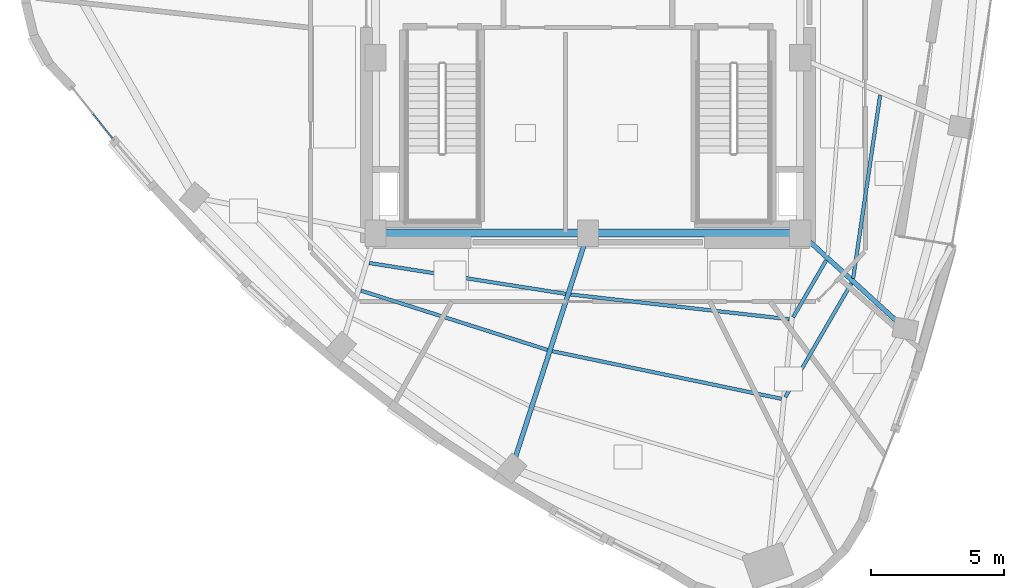
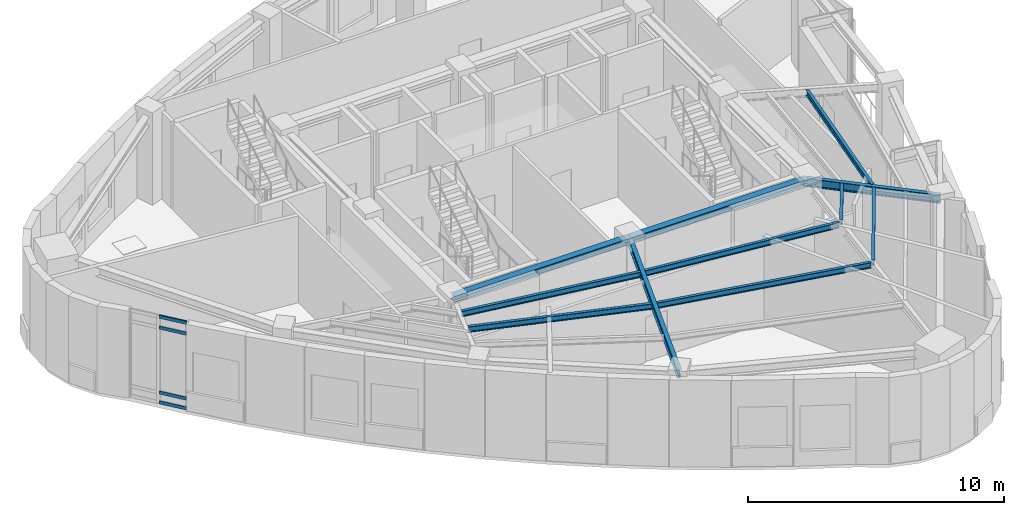
# One storey, part 3 of 14: 11 beams, 4 members, 1 element without a shape of its own.
"""IFC4 building model written with IfcOpenShell, lengths in metres."""

from ifc_helpers import new_model, si_unit, direction, frame, origin, origin_2d, place, context, subcontext, project, spatial, hollow_rectangle, i_section, extrude, material, layer, layer_set, material_profile, profile_set, type_object, element, aggregate, save


model = new_model("IFC4")

# Units and contexts
model_context = context("Model", 3, precision=1e-05, world=origin(), true_north=direction((0.0, 1.0)))
body_context = subcontext(model_context, "Body", "Model", "MODEL_VIEW")
ifc_project = project(units=[si_unit("LENGTHUNIT", "METRE"), si_unit("AREAUNIT", "SQUARE_METRE"), si_unit("VOLUMEUNIT", "CUBIC_METRE"), si_unit("PLANEANGLEUNIT", "RADIAN"), si_unit("MASSUNIT", "GRAM", prefix="KILO")], contexts=[model_context])

# Site, building, storey
site_placement = place(None, origin())
site = spatial("IfcSite", under=ifc_project, at=site_placement, CompositionType="ELEMENT")
building_placement = place(site_placement, origin())
building = spatial("IfcBuilding", under=site, at=building_placement, Name="Ndelora Gate Hotel", CompositionType="ELEMENT")
storey_placement = place(building_placement, frame((0.0, 0.0, 277.199951171875)))
storey = spatial("IfcBuildingStorey", under=building, at=storey_placement, Name="L69", CompositionType="ELEMENT", Elevation=277.199951171875)

# Beams
ifc_material_1 = material(Name="Steel S355", Category="steel")
ifc_material_profile_1 = material_profile(ifc_material_1, i_section(OverallWidth=0.300048828125, OverallDepth=0.300048828125, WebThickness=0.010986328125, FlangeThickness=0.01904296875, FilletRadius=0.027099609375, at=origin_2d()), Name="HEB 300")
ifc_profile_set_1 = profile_set([ifc_material_profile_1], Name="Steel S355")
beam_type_1 = type_object("IfcBeamType", Name="BM-CORE-300", PredefinedType="BEAM", material=ifc_profile_set_1)
for number, where, z_axis, x_axis, name in (
    (1, (-8.0, -6.60009765625, 4.0), (1.0, 0.0, 0.0), (0.0, 1.0, 0.0), "L69 Core Tie Girder CC1-CC2"),
    (2, (0.0, -6.60009765625, 4.0), (1.0, 0.0, 0.0), (0.0, 1.0, 0.0), "L69 Core Tie Girder CC2-CC3"),
):
    element("IfcBeam", number, at=place(storey_placement, frame(where, z_axis=z_axis, x_axis=x_axis)), inside=storey, type_object=beam_type_1, Name=name, PredefinedType="BEAM", context=body_context, shape_type="SweptSolid", body=[
        extrude(i_section(OverallWidth=0.300048828125, OverallDepth=0.300048828125, WebThickness=0.010986328125, FlangeThickness=0.01904296875, FilletRadius=0.027099609375, at=origin_2d()), origin(), (0.0, 0.0, 1.0), 8.0),
    ])
ifc_material_profile_2 = material_profile(ifc_material_1, i_section(OverallWidth=0.135009765625, OverallDepth=0.27001953125, WebThickness=0.006591796875, FlangeThickness=0.01025390625, FilletRadius=0.014892578125, at=origin_2d()), Name="IPE 270")
ifc_profile_set_2 = profile_set([ifc_material_profile_2], Name="Steel S355")
beam_type_2 = type_object("IfcBeamType", Name="BM-JST-270", PredefinedType="JOIST", material=ifc_profile_set_2)
beam_1_placement = place(storey_placement, frame((-8.236328125, -7.727294921875, 4.01513671875), z_axis=(0.987888558734, -0.155165058961, 0.0), x_axis=(0.155165058961, 0.987888558734, 0.0)))
element("IfcBeam", 3, at=beam_1_placement, inside=storey, type_object=beam_type_2, Name="L69 Secondary Composite Floor Joist IN-3", PredefinedType="JOIST", context=body_context, shape_type="SweptSolid", body=[
    extrude(i_section(OverallWidth=0.135009765625, OverallDepth=0.27001953125, WebThickness=0.006591796875, FlangeThickness=0.01025390625, FilletRadius=0.014892578125, at=origin_2d()), origin(), (0.0, 0.0, 1.0), 7.483154296875),
])
beam_2_placement = place(storey_placement, frame((-8.54931640625, -8.768310546875, 4.01513671875), z_axis=(0.95300799864, -0.302945134517, 0.0), x_axis=(0.302945134517, 0.95300799864, 0.0)))
element("IfcBeam", 4, at=beam_2_placement, inside=storey, type_object=beam_type_2, Name="L69 Secondary Composite Floor Joist MID-3", PredefinedType="JOIST", context=body_context, shape_type="SweptSolid", body=[
    extrude(i_section(OverallWidth=0.135009765625, OverallDepth=0.27001953125, WebThickness=0.006591796875, FlangeThickness=0.01025390625, FilletRadius=0.014892578125, at=origin_2d()), origin(), (0.0, 0.0, 1.0), 7.367431640625),
])
beam_3_placement = place(storey_placement, frame((-0.645751953125, -8.9150390625, 4.01513671875), z_axis=(0.993666082795, -0.112373110227, 0.0), x_axis=(0.112373110227, 0.993666082795, 0.0)))
element("IfcBeam", 5, at=beam_3_placement, inside=storey, type_object=beam_type_2, Name="L69 Secondary Composite Floor Joist IN-4", PredefinedType="JOIST", context=body_context, shape_type="SweptSolid", body=[
    extrude(i_section(OverallWidth=0.135009765625, OverallDepth=0.27001953125, WebThickness=0.006591796875, FlangeThickness=0.01025390625, FilletRadius=0.014892578125, at=origin_2d()), origin(), (0.0, 0.0, 1.0), 8.27978515625),
])
beam_4_placement = place(storey_placement, frame((-1.334716796875, -11.05078125, 4.01513671875), z_axis=(0.979088439748, -0.203435068637, 0.0), x_axis=(0.203435068637, 0.979088439748, 0.0)))
element("IfcBeam", 6, at=beam_4_placement, inside=storey, type_object=beam_type_2, Name="L69 Secondary Composite Floor Joist MID-4", PredefinedType="JOIST", context=body_context, shape_type="SweptSolid", body=[
    extrude(i_section(OverallWidth=0.135009765625, OverallDepth=0.27001953125, WebThickness=0.006591796875, FlangeThickness=0.01025390625, FilletRadius=0.014892578125, at=origin_2d()), origin(), (0.0, 0.0, 1.0), 8.807373046875),
])
beam_5_placement = place(storey_placement, frame((7.731201171875, -9.770263671875, 4.01513671875), z_axis=(0.502726490322, 0.864445530921, 0.0), x_axis=(-0.864445530921, 0.502726490322, 0.0)))
element("IfcBeam", 7, at=beam_5_placement, inside=storey, type_object=beam_type_2, Name="L69 Secondary Composite Floor Joist IN-5", PredefinedType="JOIST", context=body_context, shape_type="SweptSolid", body=[
    extrude(i_section(OverallWidth=0.135009765625, OverallDepth=0.27001953125, WebThickness=0.006591796875, FlangeThickness=0.01025390625, FilletRadius=0.014892578125, at=origin_2d()), origin(), (0.0, 0.0, 1.0), 2.481201171875),
])
beam_6_placement = place(storey_placement, frame((7.436767578125, -12.776611328125, 4.01513671875), z_axis=(0.50271891842, 0.864449934388, 0.0), x_axis=(-0.864449934388, 0.50271891842, 0.0)))
element("IfcBeam", 8, at=beam_6_placement, inside=storey, type_object=beam_type_2, Name="L69 Secondary Composite Floor Joist MID-5", PredefinedType="JOIST", context=body_context, shape_type="SweptSolid", body=[
    extrude(i_section(OverallWidth=0.135009765625, OverallDepth=0.27001953125, WebThickness=0.006591796875, FlangeThickness=0.01025390625, FilletRadius=0.014892578125, at=origin_2d()), origin(), (0.0, 0.0, 1.0), 4.9560546875),
])
beam_7_placement = place(storey_placement, frame((9.992919921875, -8.30712890625, 4.01513671875), z_axis=(0.145767847032, 0.989318823621, 0.0), x_axis=(-0.989318823621, 0.145767847032, 0.0)))
element("IfcBeam", 9, at=beam_7_placement, inside=storey, type_object=beam_type_2, Name="L69 Secondary Composite Floor Joist MID-6", PredefinedType="JOIST", context=body_context, shape_type="SweptSolid", body=[
    extrude(i_section(OverallWidth=0.135009765625, OverallDepth=0.27001953125, WebThickness=0.006591796875, FlangeThickness=0.01025390625, FilletRadius=0.014892578125, at=origin_2d()), origin(), (0.0, 0.0, 1.0), 6.980712890625),
])
ifc_material_profile_3 = material_profile(ifc_material_1, i_section(OverallWidth=0.179931640625, OverallDepth=0.39990234375, WebThickness=0.008544921875, FlangeThickness=0.013427734375, FilletRadius=0.02099609375, at=origin_2d()), Name="IPE 400")
ifc_profile_set_3 = profile_set([ifc_material_profile_3], Name="Steel S355")
beam_type_3 = type_object("IfcBeamType", Name="BM-RAD-400", PredefinedType="BEAM", material=ifc_profile_set_3)
beam_8_placement = place(storey_placement, frame((0.0, -6.60009765625, 3.949951171875), z_axis=(-0.307689759964, -0.951486737487, 0.0), x_axis=(0.951486737487, -0.307689759964, 0.0)))
element("IfcBeam", 10, at=beam_8_placement, inside=storey, type_object=beam_type_3, Name="L69 Radial Floor Girder 4", PredefinedType="BEAM", context=body_context, shape_type="SweptSolid", body=[
    extrude(i_section(OverallWidth=0.179931640625, OverallDepth=0.39990234375, WebThickness=0.008544921875, FlangeThickness=0.013427734375, FilletRadius=0.02099609375, at=origin_2d()), origin(), (0.0, 0.0, 1.0), 9.31298828125),
])
beam_9_placement = place(storey_placement, frame((8.0, -6.60009765625, 3.949951171875), z_axis=(0.73854665752, -0.674202369223, 0.0), x_axis=(0.674202369223, 0.73854665752, 0.0)))
element("IfcBeam", 11, at=beam_9_placement, inside=storey, type_object=beam_type_3, Name="L69 Radial Floor Girder 6", PredefinedType="BEAM", context=body_context, shape_type="SweptSolid", body=[
    extrude(i_section(OverallWidth=0.179931640625, OverallDepth=0.39990234375, WebThickness=0.008544921875, FlangeThickness=0.013427734375, FilletRadius=0.02099609375, at=origin_2d()), origin(), (0.0, 0.0, 1.0), 5.357421875),
])

# Curtain wall, members
ifc_material_2 = material(Name="Bronze Anodised Unitised Aluminium and Low-E Glass", Category="aluminium")
ifc_layer = layer(ifc_material_2, 0.219970703125)
ifc_layer_set = layer_set([ifc_layer], Name="Bronze Anodised Unitised Aluminium and Low-E Glass")
curtain_wall_type = type_object("IfcCurtainWallType", Name="CW-SYS-6", PredefinedType="NOTDEFINED", material=ifc_layer_set)
curtain_wall_placement = place(storey_placement, origin())
curtain_wall = element("IfcCurtainWall", 12, at=curtain_wall_placement, inside=storey, type_object=curtain_wall_type, Name="L69 Crown Sky-Restaurant & Cocktail Bar Curtain Wall 1", PredefinedType="NOTDEFINED")
ifc_material_3 = material(Name="Bronze Anodised Aluminium 6063-T6", Category="aluminium")
ifc_material_profile_4 = material_profile(ifc_material_3, hollow_rectangle(XDim=0.06494140625, YDim=0.159912109375, WallThickness=0.00390625, InnerFilletRadius=0.00390625, OuterFilletRadius=0.008056640625, at=origin_2d()), Name="ALU 160x65x4")
ifc_profile_set_4 = profile_set([ifc_material_profile_4], Name="Bronze Anodised Aluminium 6063-T6")
member_type = type_object("IfcMemberType", Name="MB-CW-TRN150", PredefinedType="USERDEFINED", material=ifc_profile_set_4)
member_1_placement = place(storey_placement, frame((-18.64794921875, -2.11474609375, 0.032470703125), z_axis=(0.621514709143, -0.783402493179, 0.0), x_axis=(0.783402493179, 0.621514709143, 0.0)))
member_1 = element("IfcMember", 13, at=member_1_placement, type_object=member_type, Name="CW6 transom 2.1", ObjectType="TRANSOM", PredefinedType="USERDEFINED", context=body_context, shape_type="SweptSolid", body=[
    extrude(hollow_rectangle(XDim=0.06494140625, YDim=0.159912109375, WallThickness=0.00390625, InnerFilletRadius=0.00390625, OuterFilletRadius=0.008056640625, at=origin_2d()), origin(), (0.0, 0.0, 1.0), 1.162841796875),
])
member_2_placement = place(storey_placement, frame((-18.64794921875, -2.11474609375, 0.5), z_axis=(0.621514709143, -0.783402493179, 0.0), x_axis=(0.783402493179, 0.621514709143, 0.0)))
member_2 = element("IfcMember", 14, at=member_2_placement, type_object=member_type, Name="CW6 transom 2.2", ObjectType="TRANSOM", PredefinedType="USERDEFINED", context=body_context, shape_type="SweptSolid", body=[
    extrude(hollow_rectangle(XDim=0.06494140625, YDim=0.159912109375, WallThickness=0.00390625, InnerFilletRadius=0.00390625, OuterFilletRadius=0.008056640625, at=origin_2d()), origin(), (0.0, 0.0, 1.0), 1.162841796875),
])
member_3_placement = place(storey_placement, frame((-18.64794921875, -2.11474609375, 3.60009765625), z_axis=(0.621514709143, -0.783402493179, 0.0), x_axis=(0.783402493179, 0.621514709143, 0.0)))
member_3 = element("IfcMember", 15, at=member_3_placement, type_object=member_type, Name="CW6 transom 2.3", ObjectType="TRANSOM", PredefinedType="USERDEFINED", context=body_context, shape_type="SweptSolid", body=[
    extrude(hollow_rectangle(XDim=0.06494140625, YDim=0.159912109375, WallThickness=0.00390625, InnerFilletRadius=0.00390625, OuterFilletRadius=0.008056640625, at=origin_2d()), origin(), (0.0, 0.0, 1.0), 1.162841796875),
])
member_4_placement = place(storey_placement, frame((-18.64794921875, -2.11474609375, 4.117431640625), z_axis=(0.621514709143, -0.783402493179, 0.0), x_axis=(0.783402493179, 0.621514709143, 0.0)))
member_4 = element("IfcMember", 16, at=member_4_placement, type_object=member_type, Name="CW6 transom 2.4", ObjectType="TRANSOM", PredefinedType="USERDEFINED", context=body_context, shape_type="SweptSolid", body=[
    extrude(hollow_rectangle(XDim=0.06494140625, YDim=0.159912109375, WallThickness=0.00390625, InnerFilletRadius=0.00390625, OuterFilletRadius=0.008056640625, at=origin_2d()), origin(), (0.0, 0.0, 1.0), 1.162841796875),
])
aggregate(curtain_wall, [member_1, member_2, member_3, member_4])

save(model, "model.ifc")
